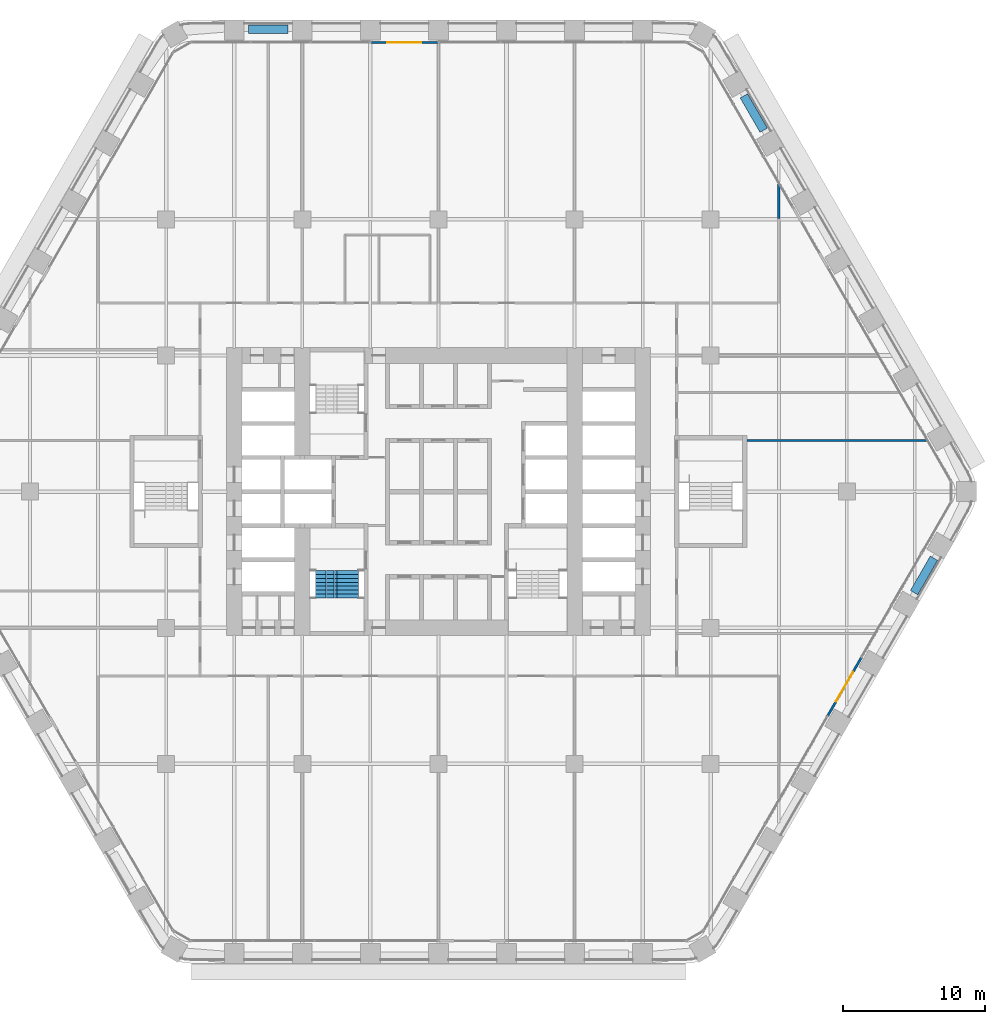
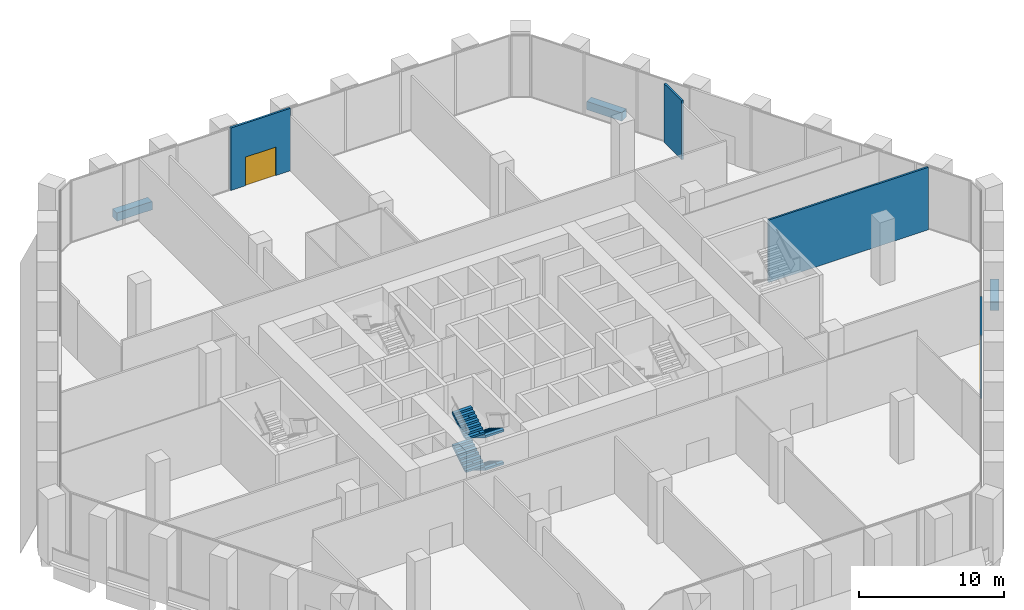
# One storey, part 22 of 27: 7 walls, 4 stair flights, 2 doors, 2 openings, 1 element without a shape of its own.
"""IFC4 building model written with IfcOpenShell, lengths in metres."""

from ifc_helpers import new_model, si_unit, direction, frame, frame_2d, origin, place, context, subcontext, project, spatial, polyline, rectangle, outline, extrude, material, layer, layer_set, type_object, element, fill, aggregate, save


model = new_model("IFC4")

# Units and contexts
model_context = context("Model", 3, precision=1e-05, world=origin(), true_north=direction((0.0, 1.0)))
body_context = subcontext(model_context, "Body", "Model", "MODEL_VIEW")
ifc_project = project(units=[si_unit("LENGTHUNIT", "METRE"), si_unit("AREAUNIT", "SQUARE_METRE"), si_unit("VOLUMEUNIT", "CUBIC_METRE"), si_unit("PLANEANGLEUNIT", "RADIAN"), si_unit("MASSUNIT", "GRAM", prefix="KILO")], contexts=[model_context])

# Site, building, storey
site_placement = place(None, origin())
site = spatial("IfcSite", under=ifc_project, at=site_placement, CompositionType="ELEMENT")
building_placement = place(site_placement, origin())
building = spatial("IfcBuilding", under=site, at=building_placement, Name="Kolab Exchange Tower", CompositionType="ELEMENT")
storey_placement = place(building_placement, frame((0.0, 0.0, 44.39990234375)))
storey = spatial("IfcBuildingStorey", under=building, at=storey_placement, Name="L08", CompositionType="ELEMENT", Elevation=44.39990234375)

# Wall, opening, door
ifc_material_1 = material(Name="Aluminium EN AW-6063 T6", Category="aluminium")
ifc_layer_1 = layer(ifc_material_1, 0.159912109375)
ifc_layer_set_1 = layer_set([ifc_layer_1], Name="Aluminium EN AW-6063 T6")
wall_type_1 = type_object("IfcWallType", Name="DOOR SURROUND WALL 160 ALUMINIUM FRAMED", PredefinedType="PARTITIONING", material=ifc_layer_set_1)
wall_1_placement = place(storey_placement, frame((-4.77001953125, 31.67529296875, 0.0), z_axis=(0.0, 0.0, 1.0), x_axis=(1.0, 0.0, 0.0)))
wall_1 = element("IfcWall", 1, at=wall_1_placement, inside=storey, type_object=wall_type_1, Name="Door surround wall", PredefinedType="PARTITIONING", context=body_context, shape_type="SweptSolid", body=[
    extrude(rectangle(XDim=4.739990234375, YDim=0.159912109375, at=frame_2d((2.3701171875, 0.0))), origin(), (0.0, 0.0, 1.0), 5.25),
])
opening_1_placement = place(wall_1_placement, frame((1.169921875, 0.0, 0.0)))
opening_1 = element("IfcOpeningElement", 2, at=opening_1_placement, cuts=wall_1, Name="Opening GD1-017", PredefinedType="OPENING", context=body_context, shape_type="SweptSolid", body=[
    extrude(rectangle(XDim=2.39990234375, YDim=2.39990234375, at=frame_2d((1.199951171875, 1.199951171875))), frame((0.0, 0.08984375, 0.0), z_axis=(0.0, -1.0, 0.0), x_axis=(1.0, 0.0, 0.0)), (0.0, 0.0, 1.0), 0.179931640625),
])
door_type = type_object("IfcDoorType", Name="LOGGIA SLIDING GLASS DOOR 2400 X 2400", OperationType="DOUBLE_DOOR_SINGLE_SWING", PredefinedType="DOOR", material=ifc_material_1)
door_1_placement = place(opening_1_placement, origin())
door_1 = element("IfcDoor", 3, at=door_1_placement, inside=storey, type_object=door_type, Name="Loggia door", OperationType="DOUBLE_DOOR_SLIDING", OverallHeight=2.39990234375, OverallWidth=2.39990234375, PredefinedType="DOOR", context=body_context, shape_type="SweptSolid", body=[
    extrude(rectangle(XDim=2.39990234375, YDim=2.39990234375, at=frame_2d((1.199951171875, 1.199951171875))), frame((0.0, 0.02490234375, 0.0), z_axis=(0.0, -1.0, 0.0), x_axis=(1.0, 0.0, 0.0)), (0.0, 0.0, 1.0), 0.050048828125),
])
fill(opening_1, door_1)

wall_2_placement = place(storey_placement, frame((29.816650390625, -11.706787109375, 0.0), z_axis=(0.0, 0.0, 1.0), x_axis=(-0.499978080042, -0.866038058908, 0.0)))
wall_2 = element("IfcWall", 4, at=wall_2_placement, inside=storey, type_object=wall_type_1, Name="Door surround wall", PredefinedType="PARTITIONING", context=body_context, shape_type="SweptSolid", body=[
    extrude(rectangle(XDim=4.739990234375, YDim=0.159912109375, at=frame_2d((2.3701171875, 0.0))), origin(), (0.0, 0.0, 1.0), 5.25),
])
opening_2_placement = place(wall_2_placement, frame((1.169921875, 0.0, 0.0)))
opening_2 = element("IfcOpeningElement", 5, at=opening_2_placement, cuts=wall_2, Name="Opening GD1-019", PredefinedType="OPENING", context=body_context, shape_type="SweptSolid", body=[
    extrude(rectangle(XDim=2.39990234375, YDim=2.39990234375, at=frame_2d((1.199951171875, 1.199951171875))), frame((0.0, 0.08984375, 0.0), z_axis=(0.0, -1.0, 0.0), x_axis=(1.0, 0.0, 0.0)), (0.0, 0.0, 1.0), 0.179931640625),
])
door_2_placement = place(opening_2_placement, origin())
door_2 = element("IfcDoor", 6, at=door_2_placement, inside=storey, type_object=door_type, Name="Loggia door", OperationType="DOUBLE_DOOR_SLIDING", OverallHeight=2.39990234375, OverallWidth=2.39990234375, PredefinedType="DOOR", context=body_context, shape_type="SweptSolid", body=[
    extrude(rectangle(XDim=2.39990234375, YDim=2.39990234375, at=frame_2d((1.199951171875, 1.199951171875))), frame((0.0, 0.02490234375, 0.0), z_axis=(0.0, -1.0, 0.0), x_axis=(1.0, 0.0, 0.0)), (0.0, 0.0, 1.0), 0.050048828125),
])
fill(opening_2, door_2)

# Walls
ifc_material_2 = material(Name="Gypsum board", Category="gypsum")
ifc_layer_2 = layer(ifc_material_2, 0.14990234375)
ifc_layer_set_2 = layer_set([ifc_layer_2], Name="Gypsum board")
wall_type_2 = type_object("IfcWallType", Name="PARTITION 150 FIRE-RATED", PredefinedType="PARTITIONING", material=ifc_layer_set_2)
wall_3_placement = place(storey_placement, frame((24.0, 19.27392578125, 0.0), z_axis=(0.0, 0.0, 1.0), x_axis=(0.0, 1.0, 0.0)))
element("IfcWall", 7, at=wall_3_placement, inside=storey, type_object=wall_type_2, Name="Partition 001", PredefinedType="PARTITIONING", context=body_context, shape_type="SweptSolid", body=[
    extrude(rectangle(XDim=2.427490234375, YDim=0.14990234375, at=frame_2d((1.2138671875, 0.0))), origin(), (0.0, 0.0, 1.0), 4.940185546875),
])
wall_4_placement = place(storey_placement, frame((21.75, 3.60009765625, 0.0), z_axis=(0.0, 0.0, 1.0), x_axis=(1.0, 0.0, 0.0)))
element("IfcWall", 8, at=wall_4_placement, inside=storey, type_object=wall_type_2, Name="Partition 038", PredefinedType="PARTITIONING", context=body_context, shape_type="SweptSolid", body=[
    extrude(rectangle(XDim=12.700927734375, YDim=0.14990234375, at=frame_2d((6.3505859375, 0.0))), origin(), (0.0, 0.0, 1.0), 5.25),
])
ifc_material_3 = material(Name="Granite facing", Category="masonry")
ifc_layer_3 = layer(ifc_material_3, 0.0400390625)
ifc_material_4 = material(Name="Concrete C40/50 precast", Category="concrete")
ifc_layer_4 = layer(ifc_material_4, 0.56005859375)
ifc_layer_set_3 = layer_set([ifc_layer_3, ifc_layer_4], Name="Concrete C40/50 precast")
wall_type_3 = type_object("IfcWallType", Name="PLANTER BOX 600 X 700 SOIL DEPTH 550", PredefinedType="USERDEFINED", material=ifc_layer_set_3)
for number, where, z_axis, x_axis, name in (
    (9, (-13.39990234375, 32.60546875, 0.0), (0.0, 0.0, 1.0), (1.0, 0.0, 0.0), "Planter"),
    (10, (21.537109375, 27.907470703125, 0.0), (0.0, 0.0, 1.0), (0.49998411664, -0.866034573852, 0.0), "Planter"),
    (11, (34.93701171875, -4.697998046875, 0.0), (0.0, 0.0, 1.0), (-0.49998411664, -0.866034573852, 0.0), "Planter"),
):
    element("IfcWall", number, at=place(storey_placement, frame(where, z_axis=z_axis, x_axis=x_axis)), inside=storey, type_object=wall_type_3, Name=name, ObjectType="PLANTER", PredefinedType="USERDEFINED", context=body_context, shape_type="SweptSolid", body=[
        extrude(rectangle(XDim=2.7998046875, YDim=0.60009765625, at=frame_2d((1.39990234375, 0.0))), origin(), (0.0, 0.0, 1.0), 0.7001953125),
    ])

# Stair, stair flights
ifc_material_5 = material(Name="Concrete C50/60", Category="concrete")
stair_type = type_object("IfcStairType", Name="STAIR ST3 RISER 171.9", PredefinedType="DOUBLE_RETURN_STAIR", material=ifc_material_5)
stair_placement = place(storey_placement, origin())
stair = element("IfcStair", 12, at=stair_placement, inside=storey, type_object=stair_type, Name="Stair 3", PredefinedType="DOUBLE_RETURN_STAIR")
stair_flight_type = type_object("IfcStairFlightType", Name="STAIR FLIGHT 1500 RISER 171.9", PredefinedType="STRAIGHT", material=ifc_material_5)
stair_flight_1_placement = place(storey_placement, frame((-6.389892578125, -5.550048828125, 0.0), z_axis=(0.0, 0.0, 1.0), x_axis=(0.0, -1.0, 0.0)))
stair_flight_1 = element("IfcStairFlight", 13, at=stair_flight_1_placement, type_object=stair_flight_type, Name="ST3 flight 1", NumberOfRisers=8, NumberOfTreads=7, PredefinedType="STRAIGHT", RiserHeight=0.171875, TreadLength=0.28, context=body_context, shape_type="SweptSolid", body=[
    extrude(outline(polyline([(0.0, 0.0), (0.0, 0.171875), (0.280029296875, 0.171875), (0.280029296875, 0.34375), (0.56005859375, 0.34375), (0.56005859375, 0.515625), (0.840087890625, 0.515625), (0.840087890625, 0.6875), (1.1201171875, 0.6875), (1.1201171875, 0.859375), (1.39990234375, 0.859375), (1.39990234375, 1.03125), (1.679931640625, 1.03125), (1.679931640625, 1.203125), (1.9599609375, 1.203125), (1.9599609375, 1.375), (1.9599609375, 1.02734375), (0.28662109375, 0.0), (0.0, 0.0)])), frame((0.0, 0.75, 0.0), z_axis=(0.0, -1.0, 0.0), x_axis=(1.0, 0.0, 0.0)), (0.0, 0.0, 1.0), 0.185791015625),
    extrude(outline(polyline([(0.0, 0.0), (0.0, 0.171875), (0.280029296875, 0.171875), (0.280029296875, 0.34375), (0.56005859375, 0.34375), (0.56005859375, 0.515625), (0.840087890625, 0.515625), (0.840087890625, 0.6875), (1.1201171875, 0.6875), (1.1201171875, 0.859375), (1.39990234375, 0.859375), (1.39990234375, 1.03125), (1.679931640625, 1.03125), (1.679931640625, 1.203125), (1.9599609375, 1.203125), (1.9599609375, 1.375), (1.9599609375, 1.02734375), (0.28662109375, 0.0), (0.0, 0.0)])), frame((0.0, 0.562255859375, 0.0), z_axis=(0.0, -1.0, 0.0), x_axis=(1.0, 0.0, 0.0)), (0.0, 0.0, 1.0), 0.185791015625),
    extrude(outline(polyline([(0.0, 0.0), (0.0, 0.171875), (0.280029296875, 0.171875), (0.280029296875, 0.34375), (0.56005859375, 0.34375), (0.56005859375, 0.515625), (0.840087890625, 0.515625), (0.840087890625, 0.6875), (1.1201171875, 0.6875), (1.1201171875, 0.859375), (1.39990234375, 0.859375), (1.39990234375, 1.03125), (1.679931640625, 1.03125), (1.679931640625, 1.203125), (1.9599609375, 1.203125), (1.9599609375, 1.375), (1.9599609375, 1.02734375), (0.28662109375, 0.0), (0.0, 0.0)])), frame((0.0, 0.37451171875, 0.0), z_axis=(0.0, -1.0, 0.0), x_axis=(1.0, 0.0, 0.0)), (0.0, 0.0, 1.0), 0.185791015625),
    extrude(outline(polyline([(0.0, 0.0), (0.0, 0.171875), (0.280029296875, 0.171875), (0.280029296875, 0.34375), (0.56005859375, 0.34375), (0.56005859375, 0.515625), (0.840087890625, 0.515625), (0.840087890625, 0.6875), (1.1201171875, 0.6875), (1.1201171875, 0.859375), (1.39990234375, 0.859375), (1.39990234375, 1.03125), (1.679931640625, 1.03125), (1.679931640625, 1.203125), (1.9599609375, 1.203125), (1.9599609375, 1.375), (1.9599609375, 1.02734375), (0.28662109375, 0.0), (0.0, 0.0)])), frame((0.0, 0.186767578125, 0.0), z_axis=(0.0, -1.0, 0.0), x_axis=(1.0, 0.0, 0.0)), (0.0, 0.0, 1.0), 0.185791015625),
    extrude(outline(polyline([(0.0, 0.0), (0.0, 0.171875), (0.280029296875, 0.171875), (0.280029296875, 0.34375), (0.56005859375, 0.34375), (0.56005859375, 0.515625), (0.840087890625, 0.515625), (0.840087890625, 0.6875), (1.1201171875, 0.6875), (1.1201171875, 0.859375), (1.39990234375, 0.859375), (1.39990234375, 1.03125), (1.679931640625, 1.03125), (1.679931640625, 1.203125), (1.9599609375, 1.203125), (1.9599609375, 1.375), (1.9599609375, 1.02734375), (0.28662109375, 0.0), (0.0, 0.0)])), frame((0.0, -0.0009765625, 0.0), z_axis=(0.0, -1.0, 0.0), x_axis=(1.0, 0.0, 0.0)), (0.0, 0.0, 1.0), 0.185791015625),
    extrude(outline(polyline([(0.0, 0.0), (0.0, 0.171875), (0.280029296875, 0.171875), (0.280029296875, 0.34375), (0.56005859375, 0.34375), (0.56005859375, 0.515625), (0.840087890625, 0.515625), (0.840087890625, 0.6875), (1.1201171875, 0.6875), (1.1201171875, 0.859375), (1.39990234375, 0.859375), (1.39990234375, 1.03125), (1.679931640625, 1.03125), (1.679931640625, 1.203125), (1.9599609375, 1.203125), (1.9599609375, 1.375), (1.9599609375, 1.02734375), (0.28662109375, 0.0), (0.0, 0.0)])), frame((0.0, -0.188720703125, 0.0), z_axis=(0.0, -1.0, 0.0), x_axis=(1.0, 0.0, 0.0)), (0.0, 0.0, 1.0), 0.185791015625),
    extrude(outline(polyline([(0.0, 0.0), (0.0, 0.171875), (0.280029296875, 0.171875), (0.280029296875, 0.34375), (0.56005859375, 0.34375), (0.56005859375, 0.515625), (0.840087890625, 0.515625), (0.840087890625, 0.6875), (1.1201171875, 0.6875), (1.1201171875, 0.859375), (1.39990234375, 0.859375), (1.39990234375, 1.03125), (1.679931640625, 1.03125), (1.679931640625, 1.203125), (1.9599609375, 1.203125), (1.9599609375, 1.375), (1.9599609375, 1.02734375), (0.28662109375, 0.0), (0.0, 0.0)])), frame((0.0, -0.37646484375, 0.0), z_axis=(0.0, -1.0, 0.0), x_axis=(1.0, 0.0, 0.0)), (0.0, 0.0, 1.0), 0.185791015625),
    extrude(outline(polyline([(0.0, 0.0), (0.0, 0.171875), (0.280029296875, 0.171875), (0.280029296875, 0.34375), (0.56005859375, 0.34375), (0.56005859375, 0.515625), (0.840087890625, 0.515625), (0.840087890625, 0.6875), (1.1201171875, 0.6875), (1.1201171875, 0.859375), (1.39990234375, 0.859375), (1.39990234375, 1.03125), (1.679931640625, 1.03125), (1.679931640625, 1.203125), (1.9599609375, 1.203125), (1.9599609375, 1.375), (1.9599609375, 1.02734375), (0.28662109375, 0.0), (0.0, 0.0)])), frame((0.0, -0.564208984375, 0.0), z_axis=(0.0, -1.0, 0.0), x_axis=(1.0, 0.0, 0.0)), (0.0, 0.0, 1.0), 0.185791015625),
])
stair_flight_2_placement = place(storey_placement, frame((-7.909912109375, -7.510009765625, 1.375), z_axis=(0.0, 0.0, 1.0), x_axis=(0.0, 1.0, 0.0)))
stair_flight_2 = element("IfcStairFlight", 14, at=stair_flight_2_placement, type_object=stair_flight_type, Name="ST3 flight 2", NumberOfRisers=8, NumberOfTreads=7, PredefinedType="STRAIGHT", RiserHeight=0.171875, TreadLength=0.28, context=body_context, shape_type="SweptSolid", body=[
    extrude(outline(polyline([(0.0, 0.0), (0.0, 0.171875), (0.280029296875, 0.171875), (0.280029296875, 0.34375), (0.56005859375, 0.34375), (0.56005859375, 0.515625), (0.840087890625, 0.515625), (0.840087890625, 0.6875), (1.1201171875, 0.6875), (1.1201171875, 0.859375), (1.39990234375, 0.859375), (1.39990234375, 1.03125), (1.679931640625, 1.03125), (1.679931640625, 1.203125), (1.9599609375, 1.203125), (1.9599609375, 1.375), (1.9599609375, 1.02734375), (0.28662109375, 0.0), (0.0, 0.0)])), frame((0.0, 0.75, 0.0), z_axis=(0.0, -1.0, 0.0), x_axis=(1.0, 0.0, 0.0)), (0.0, 0.0, 1.0), 0.185791015625),
    extrude(outline(polyline([(0.0, 0.0), (0.0, 0.171875), (0.280029296875, 0.171875), (0.280029296875, 0.34375), (0.56005859375, 0.34375), (0.56005859375, 0.515625), (0.840087890625, 0.515625), (0.840087890625, 0.6875), (1.1201171875, 0.6875), (1.1201171875, 0.859375), (1.39990234375, 0.859375), (1.39990234375, 1.03125), (1.679931640625, 1.03125), (1.679931640625, 1.203125), (1.9599609375, 1.203125), (1.9599609375, 1.375), (1.9599609375, 1.02734375), (0.28662109375, 0.0), (0.0, 0.0)])), frame((0.0, 0.562255859375, 0.0), z_axis=(0.0, -1.0, 0.0), x_axis=(1.0, 0.0, 0.0)), (0.0, 0.0, 1.0), 0.185791015625),
    extrude(outline(polyline([(0.0, 0.0), (0.0, 0.171875), (0.280029296875, 0.171875), (0.280029296875, 0.34375), (0.56005859375, 0.34375), (0.56005859375, 0.515625), (0.840087890625, 0.515625), (0.840087890625, 0.6875), (1.1201171875, 0.6875), (1.1201171875, 0.859375), (1.39990234375, 0.859375), (1.39990234375, 1.03125), (1.679931640625, 1.03125), (1.679931640625, 1.203125), (1.9599609375, 1.203125), (1.9599609375, 1.375), (1.9599609375, 1.02734375), (0.28662109375, 0.0), (0.0, 0.0)])), frame((0.0, 0.37451171875, 0.0), z_axis=(0.0, -1.0, 0.0), x_axis=(1.0, 0.0, 0.0)), (0.0, 0.0, 1.0), 0.185791015625),
    extrude(outline(polyline([(0.0, 0.0), (0.0, 0.171875), (0.280029296875, 0.171875), (0.280029296875, 0.34375), (0.56005859375, 0.34375), (0.56005859375, 0.515625), (0.840087890625, 0.515625), (0.840087890625, 0.6875), (1.1201171875, 0.6875), (1.1201171875, 0.859375), (1.39990234375, 0.859375), (1.39990234375, 1.03125), (1.679931640625, 1.03125), (1.679931640625, 1.203125), (1.9599609375, 1.203125), (1.9599609375, 1.375), (1.9599609375, 1.02734375), (0.28662109375, 0.0), (0.0, 0.0)])), frame((0.0, 0.186767578125, 0.0), z_axis=(0.0, -1.0, 0.0), x_axis=(1.0, 0.0, 0.0)), (0.0, 0.0, 1.0), 0.185791015625),
    extrude(outline(polyline([(0.0, 0.0), (0.0, 0.171875), (0.280029296875, 0.171875), (0.280029296875, 0.34375), (0.56005859375, 0.34375), (0.56005859375, 0.515625), (0.840087890625, 0.515625), (0.840087890625, 0.6875), (1.1201171875, 0.6875), (1.1201171875, 0.859375), (1.39990234375, 0.859375), (1.39990234375, 1.03125), (1.679931640625, 1.03125), (1.679931640625, 1.203125), (1.9599609375, 1.203125), (1.9599609375, 1.375), (1.9599609375, 1.02734375), (0.28662109375, 0.0), (0.0, 0.0)])), frame((0.0, -0.0009765625, 0.0), z_axis=(0.0, -1.0, 0.0), x_axis=(1.0, 0.0, 0.0)), (0.0, 0.0, 1.0), 0.185791015625),
    extrude(outline(polyline([(0.0, 0.0), (0.0, 0.171875), (0.280029296875, 0.171875), (0.280029296875, 0.34375), (0.56005859375, 0.34375), (0.56005859375, 0.515625), (0.840087890625, 0.515625), (0.840087890625, 0.6875), (1.1201171875, 0.6875), (1.1201171875, 0.859375), (1.39990234375, 0.859375), (1.39990234375, 1.03125), (1.679931640625, 1.03125), (1.679931640625, 1.203125), (1.9599609375, 1.203125), (1.9599609375, 1.375), (1.9599609375, 1.02734375), (0.28662109375, 0.0), (0.0, 0.0)])), frame((0.0, -0.188720703125, 0.0), z_axis=(0.0, -1.0, 0.0), x_axis=(1.0, 0.0, 0.0)), (0.0, 0.0, 1.0), 0.185791015625),
    extrude(outline(polyline([(0.0, 0.0), (0.0, 0.171875), (0.280029296875, 0.171875), (0.280029296875, 0.34375), (0.56005859375, 0.34375), (0.56005859375, 0.515625), (0.840087890625, 0.515625), (0.840087890625, 0.6875), (1.1201171875, 0.6875), (1.1201171875, 0.859375), (1.39990234375, 0.859375), (1.39990234375, 1.03125), (1.679931640625, 1.03125), (1.679931640625, 1.203125), (1.9599609375, 1.203125), (1.9599609375, 1.375), (1.9599609375, 1.02734375), (0.28662109375, 0.0), (0.0, 0.0)])), frame((0.0, -0.37646484375, 0.0), z_axis=(0.0, -1.0, 0.0), x_axis=(1.0, 0.0, 0.0)), (0.0, 0.0, 1.0), 0.185791015625),
    extrude(outline(polyline([(0.0, 0.0), (0.0, 0.171875), (0.280029296875, 0.171875), (0.280029296875, 0.34375), (0.56005859375, 0.34375), (0.56005859375, 0.515625), (0.840087890625, 0.515625), (0.840087890625, 0.6875), (1.1201171875, 0.6875), (1.1201171875, 0.859375), (1.39990234375, 0.859375), (1.39990234375, 1.03125), (1.679931640625, 1.03125), (1.679931640625, 1.203125), (1.9599609375, 1.203125), (1.9599609375, 1.375), (1.9599609375, 1.02734375), (0.28662109375, 0.0), (0.0, 0.0)])), frame((0.0, -0.564208984375, 0.0), z_axis=(0.0, -1.0, 0.0), x_axis=(1.0, 0.0, 0.0)), (0.0, 0.0, 1.0), 0.185791015625),
])
stair_flight_3_placement = place(storey_placement, frame((-6.389892578125, -5.550048828125, 2.75), z_axis=(0.0, 0.0, 1.0), x_axis=(0.0, -1.0, 0.0)))
stair_flight_3 = element("IfcStairFlight", 15, at=stair_flight_3_placement, type_object=stair_flight_type, Name="ST3 flight 3", NumberOfRisers=8, NumberOfTreads=7, PredefinedType="STRAIGHT", RiserHeight=0.171875, TreadLength=0.28, context=body_context, shape_type="SweptSolid", body=[
    extrude(outline(polyline([(0.0, 0.0), (0.0, 0.171875), (0.280029296875, 0.171875), (0.280029296875, 0.34375), (0.56005859375, 0.34375), (0.56005859375, 0.515625), (0.840087890625, 0.515625), (0.840087890625, 0.6875), (1.1201171875, 0.6875), (1.1201171875, 0.859375), (1.39990234375, 0.859375), (1.39990234375, 1.03125), (1.679931640625, 1.03125), (1.679931640625, 1.203125), (1.9599609375, 1.203125), (1.9599609375, 1.375), (1.9599609375, 1.02734375), (0.28662109375, 0.0), (0.0, 0.0)])), frame((0.0, 0.75, 0.0), z_axis=(0.0, -1.0, 0.0), x_axis=(1.0, 0.0, 0.0)), (0.0, 0.0, 1.0), 0.185791015625),
    extrude(outline(polyline([(0.0, 0.0), (0.0, 0.171875), (0.280029296875, 0.171875), (0.280029296875, 0.34375), (0.56005859375, 0.34375), (0.56005859375, 0.515625), (0.840087890625, 0.515625), (0.840087890625, 0.6875), (1.1201171875, 0.6875), (1.1201171875, 0.859375), (1.39990234375, 0.859375), (1.39990234375, 1.03125), (1.679931640625, 1.03125), (1.679931640625, 1.203125), (1.9599609375, 1.203125), (1.9599609375, 1.375), (1.9599609375, 1.02734375), (0.28662109375, 0.0), (0.0, 0.0)])), frame((0.0, 0.562255859375, 0.0), z_axis=(0.0, -1.0, 0.0), x_axis=(1.0, 0.0, 0.0)), (0.0, 0.0, 1.0), 0.185791015625),
    extrude(outline(polyline([(0.0, 0.0), (0.0, 0.171875), (0.280029296875, 0.171875), (0.280029296875, 0.34375), (0.56005859375, 0.34375), (0.56005859375, 0.515625), (0.840087890625, 0.515625), (0.840087890625, 0.6875), (1.1201171875, 0.6875), (1.1201171875, 0.859375), (1.39990234375, 0.859375), (1.39990234375, 1.03125), (1.679931640625, 1.03125), (1.679931640625, 1.203125), (1.9599609375, 1.203125), (1.9599609375, 1.375), (1.9599609375, 1.02734375), (0.28662109375, 0.0), (0.0, 0.0)])), frame((0.0, 0.37451171875, 0.0), z_axis=(0.0, -1.0, 0.0), x_axis=(1.0, 0.0, 0.0)), (0.0, 0.0, 1.0), 0.185791015625),
    extrude(outline(polyline([(0.0, 0.0), (0.0, 0.171875), (0.280029296875, 0.171875), (0.280029296875, 0.34375), (0.56005859375, 0.34375), (0.56005859375, 0.515625), (0.840087890625, 0.515625), (0.840087890625, 0.6875), (1.1201171875, 0.6875), (1.1201171875, 0.859375), (1.39990234375, 0.859375), (1.39990234375, 1.03125), (1.679931640625, 1.03125), (1.679931640625, 1.203125), (1.9599609375, 1.203125), (1.9599609375, 1.375), (1.9599609375, 1.02734375), (0.28662109375, 0.0), (0.0, 0.0)])), frame((0.0, 0.186767578125, 0.0), z_axis=(0.0, -1.0, 0.0), x_axis=(1.0, 0.0, 0.0)), (0.0, 0.0, 1.0), 0.185791015625),
    extrude(outline(polyline([(0.0, 0.0), (0.0, 0.171875), (0.280029296875, 0.171875), (0.280029296875, 0.34375), (0.56005859375, 0.34375), (0.56005859375, 0.515625), (0.840087890625, 0.515625), (0.840087890625, 0.6875), (1.1201171875, 0.6875), (1.1201171875, 0.859375), (1.39990234375, 0.859375), (1.39990234375, 1.03125), (1.679931640625, 1.03125), (1.679931640625, 1.203125), (1.9599609375, 1.203125), (1.9599609375, 1.375), (1.9599609375, 1.02734375), (0.28662109375, 0.0), (0.0, 0.0)])), frame((0.0, -0.0009765625, 0.0), z_axis=(0.0, -1.0, 0.0), x_axis=(1.0, 0.0, 0.0)), (0.0, 0.0, 1.0), 0.185791015625),
    extrude(outline(polyline([(0.0, 0.0), (0.0, 0.171875), (0.280029296875, 0.171875), (0.280029296875, 0.34375), (0.56005859375, 0.34375), (0.56005859375, 0.515625), (0.840087890625, 0.515625), (0.840087890625, 0.6875), (1.1201171875, 0.6875), (1.1201171875, 0.859375), (1.39990234375, 0.859375), (1.39990234375, 1.03125), (1.679931640625, 1.03125), (1.679931640625, 1.203125), (1.9599609375, 1.203125), (1.9599609375, 1.375), (1.9599609375, 1.02734375), (0.28662109375, 0.0), (0.0, 0.0)])), frame((0.0, -0.188720703125, 0.0), z_axis=(0.0, -1.0, 0.0), x_axis=(1.0, 0.0, 0.0)), (0.0, 0.0, 1.0), 0.185791015625),
    extrude(outline(polyline([(0.0, 0.0), (0.0, 0.171875), (0.280029296875, 0.171875), (0.280029296875, 0.34375), (0.56005859375, 0.34375), (0.56005859375, 0.515625), (0.840087890625, 0.515625), (0.840087890625, 0.6875), (1.1201171875, 0.6875), (1.1201171875, 0.859375), (1.39990234375, 0.859375), (1.39990234375, 1.03125), (1.679931640625, 1.03125), (1.679931640625, 1.203125), (1.9599609375, 1.203125), (1.9599609375, 1.375), (1.9599609375, 1.02734375), (0.28662109375, 0.0), (0.0, 0.0)])), frame((0.0, -0.37646484375, 0.0), z_axis=(0.0, -1.0, 0.0), x_axis=(1.0, 0.0, 0.0)), (0.0, 0.0, 1.0), 0.185791015625),
    extrude(outline(polyline([(0.0, 0.0), (0.0, 0.171875), (0.280029296875, 0.171875), (0.280029296875, 0.34375), (0.56005859375, 0.34375), (0.56005859375, 0.515625), (0.840087890625, 0.515625), (0.840087890625, 0.6875), (1.1201171875, 0.6875), (1.1201171875, 0.859375), (1.39990234375, 0.859375), (1.39990234375, 1.03125), (1.679931640625, 1.03125), (1.679931640625, 1.203125), (1.9599609375, 1.203125), (1.9599609375, 1.375), (1.9599609375, 1.02734375), (0.28662109375, 0.0), (0.0, 0.0)])), frame((0.0, -0.564208984375, 0.0), z_axis=(0.0, -1.0, 0.0), x_axis=(1.0, 0.0, 0.0)), (0.0, 0.0, 1.0), 0.185791015625),
])
stair_flight_4_placement = place(storey_placement, frame((-7.909912109375, -7.510009765625, 4.125), z_axis=(0.0, 0.0, 1.0), x_axis=(0.0, 1.0, 0.0)))
stair_flight_4 = element("IfcStairFlight", 16, at=stair_flight_4_placement, type_object=stair_flight_type, Name="ST3 flight 4", NumberOfRisers=8, NumberOfTreads=7, PredefinedType="STRAIGHT", RiserHeight=0.171875, TreadLength=0.28, context=body_context, shape_type="SweptSolid", body=[
    extrude(outline(polyline([(0.0, 0.0), (0.0, 0.171875), (0.280029296875, 0.171875), (0.280029296875, 0.34375), (0.56005859375, 0.34375), (0.56005859375, 0.515625), (0.840087890625, 0.515625), (0.840087890625, 0.6875), (1.1201171875, 0.6875), (1.1201171875, 0.859375), (1.39990234375, 0.859375), (1.39990234375, 1.03125), (1.679931640625, 1.03125), (1.679931640625, 1.203125), (1.9599609375, 1.203125), (1.9599609375, 1.375), (1.9599609375, 1.02734375), (0.28662109375, 0.0), (0.0, 0.0)])), frame((0.0, 0.75, 0.0), z_axis=(0.0, -1.0, 0.0), x_axis=(1.0, 0.0, 0.0)), (0.0, 0.0, 1.0), 0.185791015625),
    extrude(outline(polyline([(0.0, 0.0), (0.0, 0.171875), (0.280029296875, 0.171875), (0.280029296875, 0.34375), (0.56005859375, 0.34375), (0.56005859375, 0.515625), (0.840087890625, 0.515625), (0.840087890625, 0.6875), (1.1201171875, 0.6875), (1.1201171875, 0.859375), (1.39990234375, 0.859375), (1.39990234375, 1.03125), (1.679931640625, 1.03125), (1.679931640625, 1.203125), (1.9599609375, 1.203125), (1.9599609375, 1.375), (1.9599609375, 1.02734375), (0.28662109375, 0.0), (0.0, 0.0)])), frame((0.0, 0.562255859375, 0.0), z_axis=(0.0, -1.0, 0.0), x_axis=(1.0, 0.0, 0.0)), (0.0, 0.0, 1.0), 0.185791015625),
    extrude(outline(polyline([(0.0, 0.0), (0.0, 0.171875), (0.280029296875, 0.171875), (0.280029296875, 0.34375), (0.56005859375, 0.34375), (0.56005859375, 0.515625), (0.840087890625, 0.515625), (0.840087890625, 0.6875), (1.1201171875, 0.6875), (1.1201171875, 0.859375), (1.39990234375, 0.859375), (1.39990234375, 1.03125), (1.679931640625, 1.03125), (1.679931640625, 1.203125), (1.9599609375, 1.203125), (1.9599609375, 1.375), (1.9599609375, 1.02734375), (0.28662109375, 0.0), (0.0, 0.0)])), frame((0.0, 0.37451171875, 0.0), z_axis=(0.0, -1.0, 0.0), x_axis=(1.0, 0.0, 0.0)), (0.0, 0.0, 1.0), 0.185791015625),
    extrude(outline(polyline([(0.0, 0.0), (0.0, 0.171875), (0.280029296875, 0.171875), (0.280029296875, 0.34375), (0.56005859375, 0.34375), (0.56005859375, 0.515625), (0.840087890625, 0.515625), (0.840087890625, 0.6875), (1.1201171875, 0.6875), (1.1201171875, 0.859375), (1.39990234375, 0.859375), (1.39990234375, 1.03125), (1.679931640625, 1.03125), (1.679931640625, 1.203125), (1.9599609375, 1.203125), (1.9599609375, 1.375), (1.9599609375, 1.02734375), (0.28662109375, 0.0), (0.0, 0.0)])), frame((0.0, 0.186767578125, 0.0), z_axis=(0.0, -1.0, 0.0), x_axis=(1.0, 0.0, 0.0)), (0.0, 0.0, 1.0), 0.185791015625),
    extrude(outline(polyline([(0.0, 0.0), (0.0, 0.171875), (0.280029296875, 0.171875), (0.280029296875, 0.34375), (0.56005859375, 0.34375), (0.56005859375, 0.515625), (0.840087890625, 0.515625), (0.840087890625, 0.6875), (1.1201171875, 0.6875), (1.1201171875, 0.859375), (1.39990234375, 0.859375), (1.39990234375, 1.03125), (1.679931640625, 1.03125), (1.679931640625, 1.203125), (1.9599609375, 1.203125), (1.9599609375, 1.375), (1.9599609375, 1.02734375), (0.28662109375, 0.0), (0.0, 0.0)])), frame((0.0, -0.0009765625, 0.0), z_axis=(0.0, -1.0, 0.0), x_axis=(1.0, 0.0, 0.0)), (0.0, 0.0, 1.0), 0.185791015625),
    extrude(outline(polyline([(0.0, 0.0), (0.0, 0.171875), (0.280029296875, 0.171875), (0.280029296875, 0.34375), (0.56005859375, 0.34375), (0.56005859375, 0.515625), (0.840087890625, 0.515625), (0.840087890625, 0.6875), (1.1201171875, 0.6875), (1.1201171875, 0.859375), (1.39990234375, 0.859375), (1.39990234375, 1.03125), (1.679931640625, 1.03125), (1.679931640625, 1.203125), (1.9599609375, 1.203125), (1.9599609375, 1.375), (1.9599609375, 1.02734375), (0.28662109375, 0.0), (0.0, 0.0)])), frame((0.0, -0.188720703125, 0.0), z_axis=(0.0, -1.0, 0.0), x_axis=(1.0, 0.0, 0.0)), (0.0, 0.0, 1.0), 0.185791015625),
    extrude(outline(polyline([(0.0, 0.0), (0.0, 0.171875), (0.280029296875, 0.171875), (0.280029296875, 0.34375), (0.56005859375, 0.34375), (0.56005859375, 0.515625), (0.840087890625, 0.515625), (0.840087890625, 0.6875), (1.1201171875, 0.6875), (1.1201171875, 0.859375), (1.39990234375, 0.859375), (1.39990234375, 1.03125), (1.679931640625, 1.03125), (1.679931640625, 1.203125), (1.9599609375, 1.203125), (1.9599609375, 1.375), (1.9599609375, 1.02734375), (0.28662109375, 0.0), (0.0, 0.0)])), frame((0.0, -0.37646484375, 0.0), z_axis=(0.0, -1.0, 0.0), x_axis=(1.0, 0.0, 0.0)), (0.0, 0.0, 1.0), 0.185791015625),
    extrude(outline(polyline([(0.0, 0.0), (0.0, 0.171875), (0.280029296875, 0.171875), (0.280029296875, 0.34375), (0.56005859375, 0.34375), (0.56005859375, 0.515625), (0.840087890625, 0.515625), (0.840087890625, 0.6875), (1.1201171875, 0.6875), (1.1201171875, 0.859375), (1.39990234375, 0.859375), (1.39990234375, 1.03125), (1.679931640625, 1.03125), (1.679931640625, 1.203125), (1.9599609375, 1.203125), (1.9599609375, 1.375), (1.9599609375, 1.02734375), (0.28662109375, 0.0), (0.0, 0.0)])), frame((0.0, -0.564208984375, 0.0), z_axis=(0.0, -1.0, 0.0), x_axis=(1.0, 0.0, 0.0)), (0.0, 0.0, 1.0), 0.185791015625),
])
aggregate(stair, [stair_flight_1, stair_flight_2, stair_flight_3, stair_flight_4])

save(model, "model.ifc")
